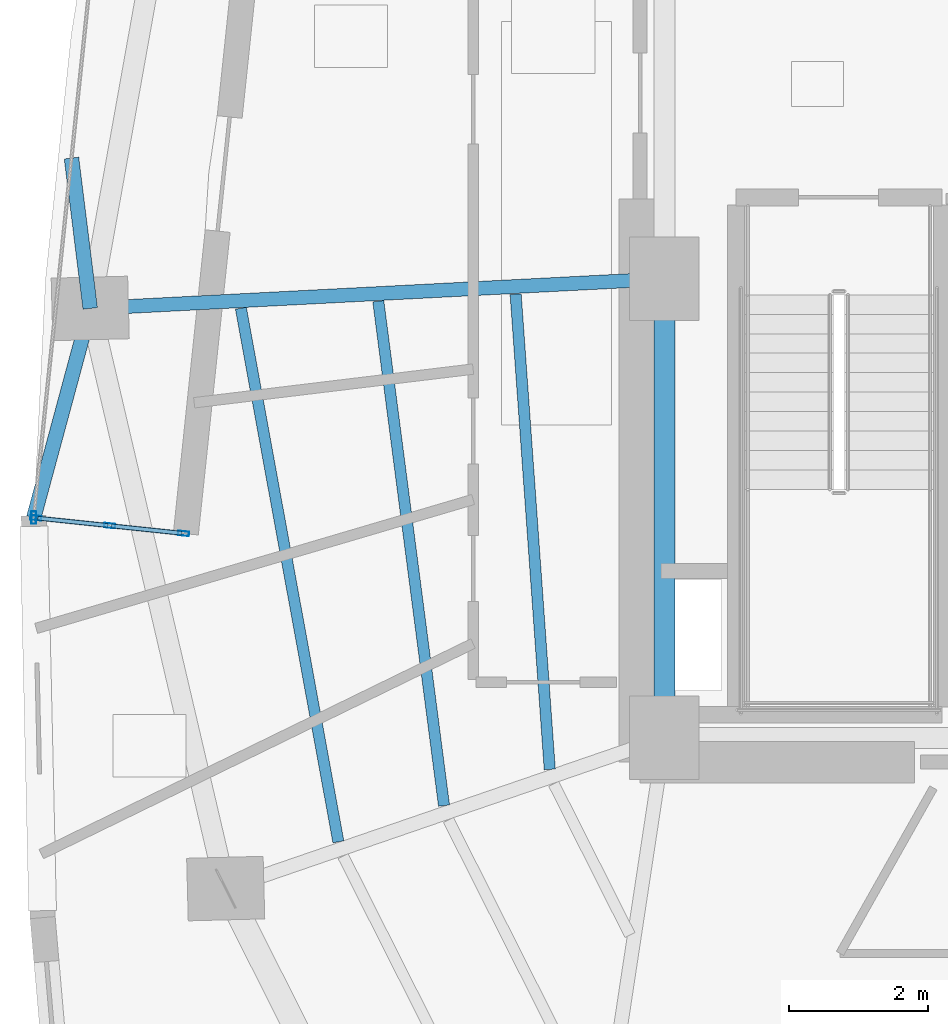
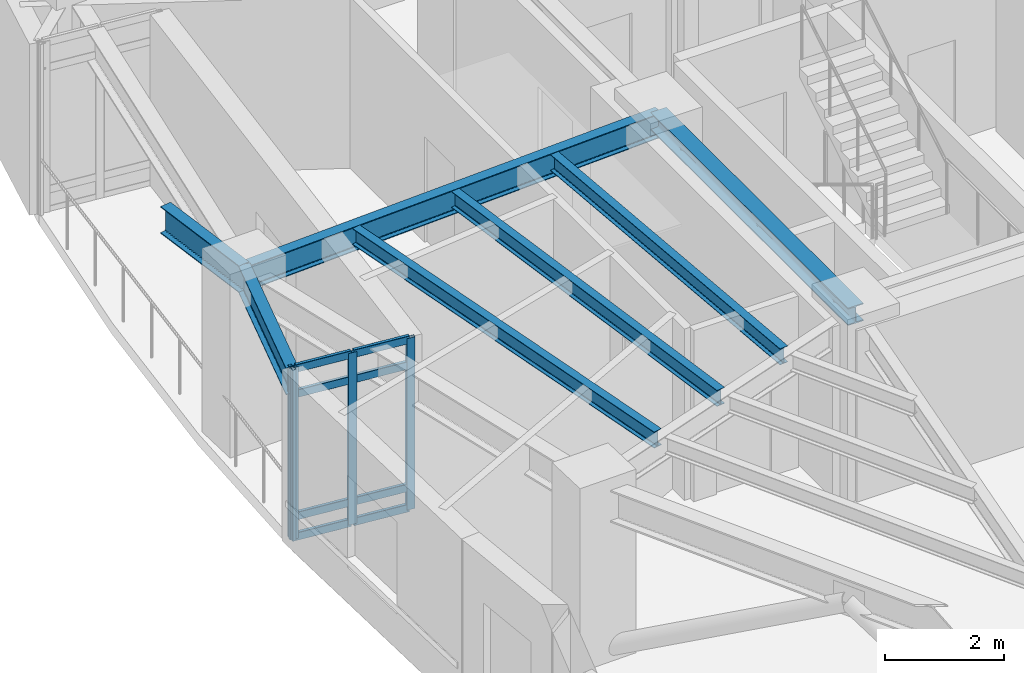
# One storey, part 2 of 12: 12 members, 7 beams, 1 element without a shape of its own.
"""IFC4 building model written with IfcOpenShell, lengths in metres."""

import ifcopenshell
import ifcopenshell.guid

model = None  # the IFC model being written
_history = None  # IfcOwnerHistory: only IFC2X3 demands one
_inside = {}  # id of a spatial element -> (the spatial element, [elements in it])
_under = {}  # id of a project, library or spatial element -> (it, [spatial elements below it])
_declared = {}  # id of a project -> (the project, [libraries it declares])
_typed = {}  # id of a type object -> (the type object, [elements of that type])
_made_of = {}  # id of a material, layer set ... -> (it, [elements and type objects made of it])


def new_model(schema):
    """Start an empty IFC model of exactly this schema.

    Asked for "IFC4X3", IfcOpenShell would pick the latest addendum, in which some entities
    have other attributes; the version numbers below select the first issue.
    IFC2X3 requires an IfcOwnerHistory on every rooted entity: one is made here for all.
    """
    global model, _history
    if schema == "IFC4X3":
        model = ifcopenshell.file(schema_version=(4, 3, 0, 0))
    else:
        model = ifcopenshell.file(schema=schema)
    _inside.clear()
    _under.clear()
    _declared.clear()
    _typed.clear()
    _made_of.clear()
    _history = None
    if model.schema == "IFC2X3":
        org = make("IfcOrganization", Name="unknown")
        user = make(
            "IfcPersonAndOrganization",
            ThePerson=make("IfcPerson", FamilyName="unknown"),
            TheOrganization=org,
        )
        app = make(
            "IfcApplication",
            ApplicationDeveloper=org,
            Version="unknown",
            ApplicationFullName="unknown",
            ApplicationIdentifier="unknown",
        )
        _history = make(
            "IfcOwnerHistory",
            OwningUser=user,
            OwningApplication=app,
            ChangeAction="ADDED",
            CreationDate=0,
        )
    return model


def make(cls, **values):
    """One entity of the class cls with the attributes given. An attribute that is None is left unset."""
    return model.create_entity(
        cls, **{name: value for name, value in values.items() if value is not None}
    )


def rooted(cls, **values):
    """An entity with a GlobalId (a new one), such as an element, a storey or a relation."""
    return make(cls, GlobalId=ifcopenshell.guid.new(), OwnerHistory=_history, **values)


def si_unit(unit_type, name, prefix=None):
    """IfcSIUnit, for example si_unit("LENGTHUNIT", "METRE", prefix="MILLI")."""
    return make("IfcSIUnit", UnitType=unit_type, Prefix=prefix, Name=name)


def assignment(units):
    """IfcUnitAssignment: the units of a project."""
    return None if units is None else make("IfcUnitAssignment", Units=units)


def point(xyz):
    """IfcCartesianPoint."""
    return None if xyz is None else make("IfcCartesianPoint", Coordinates=xyz)


def direction(xyz):
    """IfcDirection."""
    return None if xyz is None else make("IfcDirection", DirectionRatios=xyz)


def frame(location, z_axis=None, x_axis=None):
    """IfcAxis2Placement3D, a coordinate frame: its origin and axes. An axis left out is left unset."""
    return make(
        "IfcAxis2Placement3D",
        Location=point(location),
        Axis=direction(z_axis),
        RefDirection=direction(x_axis),
    )


def frame_2d(location, x_axis=None):
    """IfcAxis2Placement2D, a coordinate frame in the plane: its origin and x axis."""
    return make(
        "IfcAxis2Placement2D", Location=point(location), RefDirection=direction(x_axis)
    )


def origin():
    """The frame at (0, 0, 0) with its axes left unset."""
    return frame((0.0, 0.0, 0.0))


def origin_2d():
    """The frame at (0, 0) in the plane with its x axis left unset."""
    return frame_2d((0.0, 0.0))


def place(relative_to, where):
    """IfcLocalPlacement: puts the frame where relative to a parent placement (None: the world)."""
    return make(
        "IfcLocalPlacement", PlacementRelTo=relative_to, RelativePlacement=where
    )


def context(
    kind, dimensions, precision=None, world=None, true_north=None, identifier=None
):
    """IfcGeometricRepresentationContext, for example the 3D "Model" context."""
    return make(
        "IfcGeometricRepresentationContext",
        ContextIdentifier=identifier,
        ContextType=kind,
        CoordinateSpaceDimension=dimensions,
        Precision=precision,
        WorldCoordinateSystem=world,
        TrueNorth=true_north,
    )


def subcontext(parent, identifier, kind, view, scale=None):
    """IfcGeometricRepresentationSubContext, for example "Body" below "Model"."""
    return make(
        "IfcGeometricRepresentationSubContext",
        ContextIdentifier=identifier,
        ContextType=kind,
        ParentContext=parent,
        TargetScale=scale,
        TargetView=view,
    )


def project(units=None, contexts=None):
    """IfcProject with its units and contexts."""
    return rooted(
        "IfcProject",
        Name="project",
        RepresentationContexts=contexts,
        UnitsInContext=assignment(units),
    )


def spatial(cls, under=None, at=None, **own):
    """A site, building, storey or space (cls), placed at a placement, below another one or the project."""
    s = rooted(cls, ObjectPlacement=at, **own)
    if under is not None:
        _under.setdefault(under.id(), (under, []))[1].append(s)
    return s


def profile(cls, at=None, kind="AREA", **sizes):
    """A parametric profile (cls). Its sizes go by their IFC names, for example OverallWidth=200.0."""
    return make(cls, ProfileType=kind, Position=at, **sizes)


def hollow_rectangle(**sizes):
    """IfcRectangleHollowProfileDef."""
    return profile("IfcRectangleHollowProfileDef", **sizes)


def i_section(**sizes):
    """IfcIShapeProfileDef."""
    return profile("IfcIShapeProfileDef", **sizes)


def extrude(swept, where, along, depth):
    """IfcExtrudedAreaSolid: the profile swept, set in the frame where, extruded along a direction by depth."""
    return make(
        "IfcExtrudedAreaSolid",
        SweptArea=swept,
        Position=where,
        ExtrudedDirection=direction(along),
        Depth=depth,
    )


def shape(context_of_items, identifier, shape_type, items):
    """IfcShapeRepresentation: the items that make up one representation, for example the "Body"."""
    return make(
        "IfcShapeRepresentation",
        ContextOfItems=context_of_items,
        RepresentationIdentifier=identifier,
        RepresentationType=shape_type,
        Items=items,
    )


def material(Name=None, Category=None):
    """IfcMaterial."""
    return make("IfcMaterial", Name=Name, Category=Category)


def layer(
    of_material, thickness, ventilated=None, Name=None, Category=None, Priority=None
):
    """IfcMaterialLayer: one layer of a wall or slab, of a material (None: an air gap)."""
    return make(
        "IfcMaterialLayer",
        Material=of_material,
        LayerThickness=thickness,
        IsVentilated=ventilated,
        Name=Name,
        Category=Category,
        Priority=Priority,
    )


def layer_set(layers, Name=None):
    """IfcMaterialLayerSet."""
    return make("IfcMaterialLayerSet", MaterialLayers=layers, LayerSetName=Name)


def material_profile(
    of_material, cross_section, Name=None, Category=None, Priority=None
):
    """IfcMaterialProfile: a cross section and its material."""
    return make(
        "IfcMaterialProfile",
        Name=Name,
        Material=of_material,
        Profile=cross_section,
        Priority=Priority,
        Category=Category,
    )


def profile_set(profiles, Name=None, composite=None):
    """IfcMaterialProfileSet."""
    return make(
        "IfcMaterialProfileSet",
        Name=Name,
        MaterialProfiles=profiles,
        CompositeProfile=composite,
    )


def made_of(thing, what):
    """Note that an element or type object is made of a material, layer set ...; save() writes the relation."""
    if what is not None:
        _made_of.setdefault(what.id(), (what, []))[1].append(thing)
    return thing


def type_object(cls, material=None, **own):
    """A type object (cls), such as IfcWallType, which elements share."""
    return made_of(rooted(cls, **own), material)


def element(
    cls,
    number,
    at=None,
    inside=None,
    cuts=None,
    type_object=None,
    material=None,
    context=None,
    identifier="Body",
    shape_type=None,
    held_by="IfcProductDefinitionShape",
    body=None,
    shapes=None,
    **own,
):
    """One element of the class cls, such as IfcWall. Its Tag is "e" and its number.

    at: its placement. inside: the storey or other place that contains it. cuts: it is an
    opening in that element (IfcRelVoidsElement). A single representation is given by context,
    identifier, shape_type and body (its items); several are given by shapes. held_by: the class
    of the entity that holds the representations. save() writes the other relations.
    """
    e = rooted(cls, Tag="e%d" % number, ObjectPlacement=at, **own)
    if body is not None:
        shapes = [shape(context, identifier, shape_type, body)]
    if shapes is not None:
        e.Representation = make(held_by, Representations=shapes)
    if inside is not None:
        _inside.setdefault(inside.id(), (inside, []))[1].append(e)
    if cuts is not None:
        rooted(
            "IfcRelVoidsElement", RelatingBuildingElement=cuts, RelatedOpeningElement=e
        )
    if type_object is not None:
        _typed.setdefault(type_object.id(), (type_object, []))[1].append(e)
    return made_of(e, material)


def aggregate(whole, parts):
    """IfcRelAggregates: a whole, such as a stair, and the parts it consists of."""
    return rooted("IfcRelAggregates", RelatingObject=whole, RelatedObjects=parts)


def save(model, path):
    """Write the relations noted so far, then the file.

    IfcRelAggregates (storeys below a building ...), IfcRelContainedInSpatialStructure (elements
    in a storey), IfcRelDefinesByType, IfcRelAssociatesMaterial and IfcRelDeclares: one each for
    every whole, place, type object, material and project.
    """
    for whole, parts in _under.values():
        aggregate(whole, parts)
    for where, things in _inside.values():
        rooted(
            "IfcRelContainedInSpatialStructure",
            RelatedElements=things,
            RelatingStructure=where,
        )
    for kind, things in _typed.values():
        rooted("IfcRelDefinesByType", RelatedObjects=things, RelatingType=kind)
    for what, things in _made_of.values():
        rooted("IfcRelAssociatesMaterial", RelatedObjects=things, RelatingMaterial=what)
    for by, libraries in _declared.values():
        rooted("IfcRelDeclares", RelatingContext=by, RelatedDefinitions=libraries)
    model.write(path)


model = new_model("IFC4")

# Units and contexts
model_context = context("Model", 3, precision=1e-05, world=origin(), true_north=direction((0.0, 1.0)))
body_context = subcontext(model_context, "Body", "Model", "MODEL_VIEW")
ifc_project = project(units=[si_unit("LENGTHUNIT", "METRE"), si_unit("AREAUNIT", "SQUARE_METRE"), si_unit("VOLUMEUNIT", "CUBIC_METRE"), si_unit("PLANEANGLEUNIT", "RADIAN"), si_unit("MASSUNIT", "GRAM", prefix="KILO")], contexts=[model_context])

# Site, building, storey
site_placement = place(None, origin())
site = spatial("IfcSite", under=ifc_project, at=site_placement, CompositionType="ELEMENT")
building_placement = place(site_placement, origin())
building = spatial("IfcBuilding", under=site, at=building_placement, Name="Ndelora Gate Hotel", CompositionType="ELEMENT")
storey_placement = place(building_placement, frame((0.0, 0.0, 104.75)))
storey = spatial("IfcBuildingStorey", under=building, at=storey_placement, Name="L25", CompositionType="ELEMENT", Elevation=104.75)

# Beams
ifc_material_1 = material(Name="Steel S355", Category="steel")
ifc_material_profile_1 = material_profile(ifc_material_1, i_section(OverallWidth=0.300048828125, OverallDepth=0.360107421875, WebThickness=0.012451171875, FlangeThickness=0.0224609375, FilletRadius=0.027099609375, at=origin_2d()), Name="HEB 360")
ifc_profile_set_1 = profile_set([ifc_material_profile_1], Name="Steel S355")
beam_type_1 = type_object("IfcBeamType", Name="BM-CORE-360", PredefinedType="BEAM", material=ifc_profile_set_1)
beam_1_placement = place(storey_placement, frame((-8.0, -6.60009765625, 3.320068359375), z_axis=(0.0, 1.0, 0.0), x_axis=(-1.0, 0.0, 0.0)))
element("IfcBeam", 1, at=beam_1_placement, inside=storey, type_object=beam_type_1, Name="L25 Core Tie Girder CC1-CC8", PredefinedType="BEAM", context=body_context, shape_type="SweptSolid", body=[
    extrude(i_section(OverallWidth=0.300048828125, OverallDepth=0.360107421875, WebThickness=0.012451171875, FlangeThickness=0.0224609375, FilletRadius=0.027099609375, at=origin_2d()), origin(), (0.0, 0.0, 1.0), 6.60009765625),
])
ifc_material_profile_2 = material_profile(ifc_material_1, i_section(OverallWidth=0.159912109375, OverallDepth=0.330078125, WebThickness=0.007568359375, FlangeThickness=0.011474609375, FilletRadius=0.01806640625, at=origin_2d()), Name="IPE 330")
ifc_profile_set_2 = profile_set([ifc_material_profile_2], Name="Steel S355")
beam_type_2 = type_object("IfcBeamType", Name="BM-JST-330", PredefinedType="JOIST", material=ifc_profile_set_2)
beam_2_placement = place(storey_placement, frame((-10.138427734375, -0.220458984375, 3.3349609375), z_axis=(0.07162945927, -0.997431311201, 0.0), x_axis=(0.997431311201, 0.07162945927, 0.0)))
element("IfcBeam", 2, at=beam_2_placement, inside=storey, type_object=beam_type_2, Name="L25 Secondary Composite Floor Joist IN-3", PredefinedType="JOIST", context=body_context, shape_type="SweptSolid", body=[
    extrude(i_section(OverallWidth=0.159912109375, OverallDepth=0.330078125, WebThickness=0.007568359375, FlangeThickness=0.011474609375, FilletRadius=0.01806640625, at=origin_2d()), origin(), (0.0, 0.0, 1.0), 6.850830078125),
])
beam_3_placement = place(storey_placement, frame((-12.113525390625, -0.322021484375, 3.3349609375), z_axis=(0.12927924943, -0.991608226906, 0.0), x_axis=(0.991608226906, 0.12927924943, 0.0)))
element("IfcBeam", 3, at=beam_3_placement, inside=storey, type_object=beam_type_2, Name="L25 Secondary Composite Floor Joist MID-3", PredefinedType="JOIST", context=body_context, shape_type="SweptSolid", body=[
    extrude(i_section(OverallWidth=0.159912109375, OverallDepth=0.330078125, WebThickness=0.007568359375, FlangeThickness=0.011474609375, FilletRadius=0.01806640625, at=origin_2d()), origin(), (0.0, 0.0, 1.0), 7.31396484375),
])
beam_4_placement = place(storey_placement, frame((-14.089111328125, -0.423095703125, 3.3349609375), z_axis=(0.179733770179, -0.983715290039, 0.0), x_axis=(0.983715290039, 0.179733770179, 0.0)))
element("IfcBeam", 4, at=beam_4_placement, inside=storey, type_object=beam_type_2, Name="L25 Secondary Composite Floor Joist OUT-3", PredefinedType="JOIST", context=body_context, shape_type="SweptSolid", body=[
    extrude(i_section(OverallWidth=0.159912109375, OverallDepth=0.330078125, WebThickness=0.007568359375, FlangeThickness=0.011474609375, FilletRadius=0.01806640625, at=origin_2d()), origin(), (0.0, 0.0, 1.0), 7.799560546875),
])
ifc_material_profile_3 = material_profile(ifc_material_1, i_section(OverallWidth=0.199951171875, OverallDepth=0.5, WebThickness=0.01025390625, FlangeThickness=0.01611328125, FilletRadius=0.02099609375, at=origin_2d()), Name="IPE 500")
ifc_profile_set_3 = profile_set([ifc_material_profile_3], Name="Steel S355")
beam_type_3 = type_object("IfcBeamType", Name="BM-RAD-500", PredefinedType="BEAM", material=ifc_profile_set_3)
beam_5_placement = place(storey_placement, frame((-8.0, 0.0, 3.25), z_axis=(-0.998672591881, -0.051507807424, 0.0), x_axis=(0.051507807424, -0.998672591881, 0.0)))
element("IfcBeam", 5, at=beam_5_placement, inside=storey, type_object=beam_type_3, Name="L25 Radial Floor Girder 3", PredefinedType="BEAM", context=body_context, shape_type="SweptSolid", body=[
    extrude(i_section(OverallWidth=0.199951171875, OverallDepth=0.5, WebThickness=0.01025390625, FlangeThickness=0.01611328125, FilletRadius=0.02099609375, at=origin_2d()), origin(), (0.0, 0.0, 1.0), 8.266357421875),
])
ifc_material_profile_4 = material_profile(ifc_material_1, i_section(OverallWidth=0.2099609375, OverallDepth=0.550048828125, WebThickness=0.010986328125, FlangeThickness=0.01708984375, FilletRadius=0.02392578125, at=origin_2d()), Name="IPE 550")
ifc_profile_set_4 = profile_set([ifc_material_profile_4], Name="Steel S355")
beam_type_4 = type_object("IfcBeamType", Name="BM-RAD-550", PredefinedType="BEAM", material=ifc_profile_set_4)
beam_6_placement = place(storey_placement, frame((-16.25537109375, -0.42578125, 3.22509765625), z_axis=(-0.123565930273, 0.992336364786, 0.0), x_axis=(-0.992336364786, -0.123565930273, 0.0)))
element("IfcBeam", 6, at=beam_6_placement, inside=storey, type_object=beam_type_4, Name="L25 Sky-Garden Loggia Column Bracket 2", PredefinedType="BEAM", context=body_context, shape_type="SweptSolid", body=[
    extrude(i_section(OverallWidth=0.2099609375, OverallDepth=0.550048828125, WebThickness=0.010986328125, FlangeThickness=0.01708984375, FilletRadius=0.02392578125, at=origin_2d()), origin(), (0.0, 0.0, 1.0), 2.17919921875),
])
beam_7_placement = place(storey_placement, frame((-16.25537109375, -0.42578125, 3.22509765625), z_axis=(-0.260757109585, -0.965404438461, 0.0), x_axis=(0.965404438461, -0.260757109585, 0.0)))
element("IfcBeam", 7, at=beam_7_placement, inside=storey, type_object=beam_type_4, Name="L25 Sky-Garden Loggia Column Bracket 3", PredefinedType="BEAM", context=body_context, shape_type="SweptSolid", body=[
    extrude(i_section(OverallWidth=0.2099609375, OverallDepth=0.550048828125, WebThickness=0.010986328125, FlangeThickness=0.01708984375, FilletRadius=0.02392578125, at=origin_2d()), origin(), (0.0, 0.0, 1.0), 3.116943359375),
])

# Curtain wall, members
ifc_material_2 = material(Name="Bronze Anodised Unitised Aluminium and Low-E Glass", Category="aluminium")
ifc_layer = layer(ifc_material_2, 0.199951171875)
ifc_layer_set = layer_set([ifc_layer], Name="Bronze Anodised Unitised Aluminium and Low-E Glass")
curtain_wall_type = type_object("IfcCurtainWallType", Name="CW-SYS-3", PredefinedType="NOTDEFINED", material=ifc_layer_set)
curtain_wall_placement = place(storey_placement, origin())
curtain_wall = element("IfcCurtainWall", 8, at=curtain_wall_placement, inside=storey, type_object=curtain_wall_type, Name="L25 Sky-Garden Loggia Side Curtain Wall CW3-2", PredefinedType="NOTDEFINED")
ifc_material_3 = material(Name="Bronze Anodised Aluminium 6063-T6", Category="aluminium")
ifc_material_profile_5 = material_profile(ifc_material_3, hollow_rectangle(XDim=0.06494140625, YDim=0.159912109375, WallThickness=0.00390625, InnerFilletRadius=0.00390625, OuterFilletRadius=0.008056640625, at=origin_2d()), Name="ALU 160x65x4")
ifc_profile_set_5 = profile_set([ifc_material_profile_5], Name="Bronze Anodised Aluminium 6063-T6")
member_type_1 = type_object("IfcMemberType", Name="MB-CW-MUL150", PredefinedType="MULLION", material=ifc_profile_set_5)
member_1_placement = place(storey_placement, frame((-17.035888671875, -3.43798828125, -0.00390625), z_axis=(0.0, 0.0, 1.0), x_axis=(0.104547545416, 0.994519889569, 0.0)))
member_1 = element("IfcMember", 9, at=member_1_placement, type_object=member_type_1, Name="CW3 mullion 1", PredefinedType="MULLION", context=body_context, shape_type="SweptSolid", body=[
    extrude(hollow_rectangle(XDim=0.06494140625, YDim=0.159912109375, WallThickness=0.00390625, InnerFilletRadius=0.00390625, OuterFilletRadius=0.008056640625, at=origin_2d()), origin(), (0.0, 0.0, 1.0), 3.5078125),
])
member_2_placement = place(storey_placement, frame((-15.97412109375, -3.5498046875, -0.00390625), z_axis=(0.0, 0.0, 1.0), x_axis=(0.104547545416, 0.994519889569, 0.0)))
member_2 = element("IfcMember", 10, at=member_2_placement, type_object=member_type_1, Name="CW3 mullion 2", PredefinedType="MULLION", context=body_context, shape_type="SweptSolid", body=[
    extrude(hollow_rectangle(XDim=0.06494140625, YDim=0.159912109375, WallThickness=0.00390625, InnerFilletRadius=0.00390625, OuterFilletRadius=0.008056640625, at=origin_2d()), origin(), (0.0, 0.0, 1.0), 3.5078125),
])
member_3_placement = place(storey_placement, frame((-14.91259765625, -3.661376953125, -0.00390625), z_axis=(0.0, 0.0, 1.0), x_axis=(0.104547545416, 0.994519889569, 0.0)))
member_3 = element("IfcMember", 11, at=member_3_placement, type_object=member_type_1, Name="CW3 mullion 3", PredefinedType="MULLION", context=body_context, shape_type="SweptSolid", body=[
    extrude(hollow_rectangle(XDim=0.06494140625, YDim=0.159912109375, WallThickness=0.00390625, InnerFilletRadius=0.00390625, OuterFilletRadius=0.008056640625, at=origin_2d()), origin(), (0.0, 0.0, 1.0), 3.5078125),
])
ifc_material_profile_6 = material_profile(ifc_material_3, hollow_rectangle(XDim=0.070068359375, YDim=0.179931640625, WallThickness=0.0048828125, InnerFilletRadius=0.0048828125, OuterFilletRadius=0.010009765625, at=origin_2d()), Name="ALU 180x70x5")
ifc_profile_set_6 = profile_set([ifc_material_profile_6], Name="Bronze Anodised Aluminium 6063-T6")
member_type_2 = type_object("IfcMemberType", Name="MB-CW-MUL180", PredefinedType="MULLION", material=ifc_profile_set_6)
member_4_placement = place(storey_placement, frame((-17.068115234375, -3.434814453125, 0.0), z_axis=(0.0, 0.0, 1.0), x_axis=(1.0, 0.0, 0.0)))
member_4 = element("IfcMember", 12, at=member_4_placement, type_object=member_type_2, Name="L25 Sky-Garden Loggia Corner Mullion Post 2", PredefinedType="MULLION", context=body_context, shape_type="SweptSolid", body=[
    extrude(hollow_rectangle(XDim=0.070068359375, YDim=0.179931640625, WallThickness=0.0048828125, InnerFilletRadius=0.0048828125, OuterFilletRadius=0.010009765625, at=origin_2d()), origin(), (0.0, 0.0, 1.0), 3.5),
])
ifc_material_profile_7 = material_profile(ifc_material_3, hollow_rectangle(XDim=0.06494140625, YDim=0.159912109375, WallThickness=0.00390625, InnerFilletRadius=0.00390625, OuterFilletRadius=0.008056640625, at=origin_2d()), Name="ALU 160x65x4")
ifc_profile_set_7 = profile_set([ifc_material_profile_7], Name="Bronze Anodised Aluminium 6063-T6")
member_type_3 = type_object("IfcMemberType", Name="MB-CW-TRN150", PredefinedType="USERDEFINED", material=ifc_profile_set_7)
member_5_placement = place(storey_placement, frame((-17.009521484375, -3.44091796875, 0.032470703125), z_axis=(0.994531791991, -0.104434260277, 0.0), x_axis=(0.104434260277, 0.994531791991, 0.0)))
member_5 = element("IfcMember", 13, at=member_5_placement, type_object=member_type_3, Name="CW3 transom 1.1", ObjectType="TRANSOM", PredefinedType="USERDEFINED", context=body_context, shape_type="SweptSolid", body=[
    extrude(hollow_rectangle(XDim=0.06494140625, YDim=0.159912109375, WallThickness=0.00390625, InnerFilletRadius=0.00390625, OuterFilletRadius=0.008056640625, at=origin_2d()), origin(), (0.0, 0.0, 1.0), 1.0146484375),
])
member_6_placement = place(storey_placement, frame((-17.009521484375, -3.44091796875, 0.449951171875), z_axis=(0.994531791991, -0.104434260277, 0.0), x_axis=(0.104434260277, 0.994531791991, 0.0)))
member_6 = element("IfcMember", 14, at=member_6_placement, type_object=member_type_3, Name="CW3 transom 1.2", ObjectType="TRANSOM", PredefinedType="USERDEFINED", context=body_context, shape_type="SweptSolid", body=[
    extrude(hollow_rectangle(XDim=0.06494140625, YDim=0.159912109375, WallThickness=0.00390625, InnerFilletRadius=0.00390625, OuterFilletRadius=0.008056640625, at=origin_2d()), origin(), (0.0, 0.0, 1.0), 1.0146484375),
])
member_7_placement = place(storey_placement, frame((-17.009521484375, -3.44091796875, 2.949951171875), z_axis=(0.994531791991, -0.104434260277, 0.0), x_axis=(0.104434260277, 0.994531791991, 0.0)))
member_7 = element("IfcMember", 15, at=member_7_placement, type_object=member_type_3, Name="CW3 transom 1.3", ObjectType="TRANSOM", PredefinedType="USERDEFINED", context=body_context, shape_type="SweptSolid", body=[
    extrude(hollow_rectangle(XDim=0.06494140625, YDim=0.159912109375, WallThickness=0.00390625, InnerFilletRadius=0.00390625, OuterFilletRadius=0.008056640625, at=origin_2d()), origin(), (0.0, 0.0, 1.0), 1.0146484375),
])
member_8_placement = place(storey_placement, frame((-17.009521484375, -3.44091796875, 3.467529296875), z_axis=(0.994531791991, -0.104434260277, 0.0), x_axis=(0.104434260277, 0.994531791991, 0.0)))
member_8 = element("IfcMember", 16, at=member_8_placement, type_object=member_type_3, Name="CW3 transom 1.4", ObjectType="TRANSOM", PredefinedType="USERDEFINED", context=body_context, shape_type="SweptSolid", body=[
    extrude(hollow_rectangle(XDim=0.06494140625, YDim=0.159912109375, WallThickness=0.00390625, InnerFilletRadius=0.00390625, OuterFilletRadius=0.008056640625, at=origin_2d()), origin(), (0.0, 0.0, 1.0), 1.0146484375),
])
member_9_placement = place(storey_placement, frame((-15.94775390625, -3.552490234375, 0.032470703125), z_axis=(0.994529166593, -0.104459259027, 0.0), x_axis=(0.104459259027, 0.994529166593, 0.0)))
member_9 = element("IfcMember", 17, at=member_9_placement, type_object=member_type_3, Name="CW3 transom 2.1", ObjectType="TRANSOM", PredefinedType="USERDEFINED", context=body_context, shape_type="SweptSolid", body=[
    extrude(hollow_rectangle(XDim=0.06494140625, YDim=0.159912109375, WallThickness=0.00390625, InnerFilletRadius=0.00390625, OuterFilletRadius=0.008056640625, at=origin_2d()), origin(), (0.0, 0.0, 1.0), 1.014404296875),
])
member_10_placement = place(storey_placement, frame((-15.94775390625, -3.552490234375, 0.449951171875), z_axis=(0.994529166593, -0.104459259027, 0.0), x_axis=(0.104459259027, 0.994529166593, 0.0)))
member_10 = element("IfcMember", 18, at=member_10_placement, type_object=member_type_3, Name="CW3 transom 2.2", ObjectType="TRANSOM", PredefinedType="USERDEFINED", context=body_context, shape_type="SweptSolid", body=[
    extrude(hollow_rectangle(XDim=0.06494140625, YDim=0.159912109375, WallThickness=0.00390625, InnerFilletRadius=0.00390625, OuterFilletRadius=0.008056640625, at=origin_2d()), origin(), (0.0, 0.0, 1.0), 1.014404296875),
])
member_11_placement = place(storey_placement, frame((-15.94775390625, -3.552490234375, 2.949951171875), z_axis=(0.994529166593, -0.104459259027, 0.0), x_axis=(0.104459259027, 0.994529166593, 0.0)))
member_11 = element("IfcMember", 19, at=member_11_placement, type_object=member_type_3, Name="CW3 transom 2.3", ObjectType="TRANSOM", PredefinedType="USERDEFINED", context=body_context, shape_type="SweptSolid", body=[
    extrude(hollow_rectangle(XDim=0.06494140625, YDim=0.159912109375, WallThickness=0.00390625, InnerFilletRadius=0.00390625, OuterFilletRadius=0.008056640625, at=origin_2d()), origin(), (0.0, 0.0, 1.0), 1.014404296875),
])
member_12_placement = place(storey_placement, frame((-15.94775390625, -3.552490234375, 3.467529296875), z_axis=(0.994529166593, -0.104459259027, 0.0), x_axis=(0.104459259027, 0.994529166593, 0.0)))
member_12 = element("IfcMember", 20, at=member_12_placement, type_object=member_type_3, Name="CW3 transom 2.4", ObjectType="TRANSOM", PredefinedType="USERDEFINED", context=body_context, shape_type="SweptSolid", body=[
    extrude(hollow_rectangle(XDim=0.06494140625, YDim=0.159912109375, WallThickness=0.00390625, InnerFilletRadius=0.00390625, OuterFilletRadius=0.008056640625, at=origin_2d()), origin(), (0.0, 0.0, 1.0), 1.014404296875),
])
aggregate(curtain_wall, [member_1, member_2, member_3, member_5, member_6, member_7, member_8, member_9, member_10, member_11, member_12, member_4])

save(model, "model.ifc")
